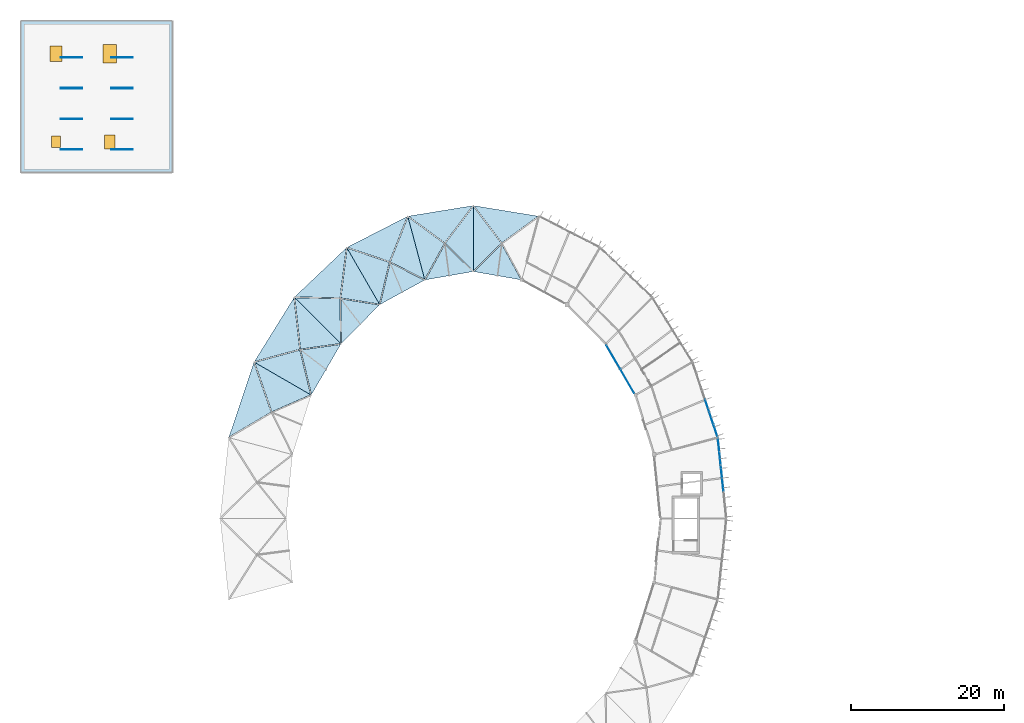
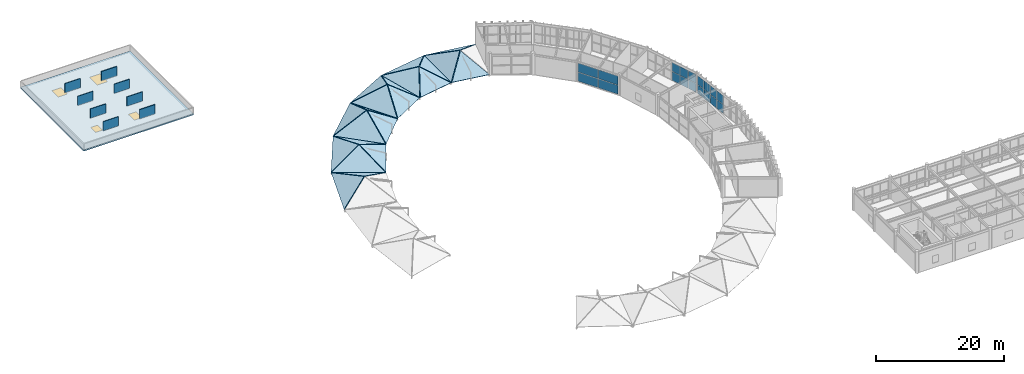
# One storey, part 47 of 66: 26 plates, 22 slabs, 4 windows, 4 openings, 3 elements without a shape of their own.
"""IFC4 building model written with IfcOpenShell, lengths in metres."""

from ifc_helpers import new_model, si_unit, direction, frame, origin, origin_2d, place, context, subcontext, project, spatial, polyline, rectangle, outline, extrude, material, layer, layer_set, type_object, element, fill, aggregate, save


model = new_model("IFC4")

# Units and contexts
model_context = context("Model", 3, precision=1e-05, world=origin(), true_north=direction((0.0, 1.0)))
body_context = subcontext(model_context, "Body", "Model", "MODEL_VIEW")
ifc_project = project(units=[si_unit("LENGTHUNIT", "METRE"), si_unit("AREAUNIT", "SQUARE_METRE"), si_unit("VOLUMEUNIT", "CUBIC_METRE"), si_unit("PLANEANGLEUNIT", "RADIAN"), si_unit("MASSUNIT", "GRAM", prefix="KILO")], contexts=[model_context])

# Site, building, storey
site_placement = place(None, origin())
site = spatial("IfcSite", under=ifc_project, at=site_placement, CompositionType="ELEMENT")
building_placement = place(site_placement, origin())
building = spatial("IfcBuilding", under=site, at=building_placement, Name="Karori Crest Natural Sciences Institute", CompositionType="ELEMENT")
storey_placement = place(building_placement, frame((0.0, 0.0, 30.10009765625)))
storey = spatial("IfcBuildingStorey", under=building, at=storey_placement, Name="L07", CompositionType="ELEMENT", Elevation=30.10009765625)

# Curtain wall, plates
ifc_material_1 = material(Name="Anodised architectural aluminium 6063-T6", Category="aluminium")
curtain_wall_type_1 = type_object("IfcCurtainWallType", Name="CWT-01", PredefinedType="NOTDEFINED", material=ifc_material_1)
curtain_wall_1_placement = place(storey_placement, origin())
curtain_wall_1 = element("IfcCurtainWall", 1, at=curtain_wall_1_placement, inside=storey, type_object=curtain_wall_type_1, Name="Curtain wall CW-0243", PredefinedType="NOTDEFINED")
ifc_material_2 = material(Name="Double low-E laminated glass", Category="glass")
ifc_layer_1 = layer(ifc_material_2, 0.02392578125, Name="Double low-E laminated glass")
ifc_layer_set_1 = layer_set([ifc_layer_1], Name="Double low-E laminated glass")
plate_type_1 = type_object("IfcPlateType", Name="CWP-01", PredefinedType="CURTAIN_PANEL", material=ifc_layer_set_1)
plate_1_placement = place(storey_placement, frame((98.382080078125, 59.459716796875, 0.06494140625), z_axis=(0.0, 0.0, 1.0), x_axis=(0.105884496939, -0.994378435661, 0.0)))
plate_1 = element("IfcPlate", 2, at=plate_1_placement, type_object=plate_type_1, Name="CW-0243 panel 1.1", PredefinedType="CURTAIN_PANEL", context=body_context, shape_type="SweptSolid", body=[
    extrude(rectangle(XDim=1.630126953125, YDim=0.02392578125, at=origin_2d()), origin(), (0.0, 0.0, 1.0), 1.6650390625),
])
plate_2_placement = place(storey_placement, frame((98.382080078125, 59.459716796875, 1.794921875), z_axis=(0.0, 0.0, 1.0), x_axis=(0.105884496939, -0.994378435661, 0.0)))
plate_2 = element("IfcPlate", 3, at=plate_2_placement, type_object=plate_type_1, Name="CW-0243 panel 1.2", PredefinedType="CURTAIN_PANEL", context=body_context, shape_type="SweptSolid", body=[
    extrude(rectangle(XDim=1.630126953125, YDim=0.02392578125, at=origin_2d()), origin(), (0.0, 0.0, 1.0), 1.6650390625),
])
plate_3_placement = place(storey_placement, frame((98.563232421875, 57.758056640625, 0.06494140625), z_axis=(0.0, 0.0, 1.0), x_axis=(0.105884496939, -0.994378435661, 0.0)))
plate_3 = element("IfcPlate", 4, at=plate_3_placement, type_object=plate_type_1, Name="CW-0243 panel 2.1", PredefinedType="CURTAIN_PANEL", context=body_context, shape_type="SweptSolid", body=[
    extrude(rectangle(XDim=1.66259765625, YDim=0.02392578125, at=origin_2d()), origin(), (0.0, 0.0, 1.0), 1.6650390625),
])
plate_4_placement = place(storey_placement, frame((98.563232421875, 57.758056640625, 1.794921875), z_axis=(0.0, 0.0, 1.0), x_axis=(0.105884496939, -0.994378435661, 0.0)))
plate_4 = element("IfcPlate", 5, at=plate_4_placement, type_object=plate_type_1, Name="CW-0243 panel 2.2", PredefinedType="CURTAIN_PANEL", context=body_context, shape_type="SweptSolid", body=[
    extrude(rectangle(XDim=1.66259765625, YDim=0.02392578125, at=origin_2d()), origin(), (0.0, 0.0, 1.0), 1.6650390625),
])
plate_5_placement = place(storey_placement, frame((98.74609375, 56.040283203125, 0.06494140625), z_axis=(0.0, 0.0, 1.0), x_axis=(0.105884496939, -0.994378435661, 0.0)))
plate_5 = element("IfcPlate", 6, at=plate_5_placement, type_object=plate_type_1, Name="CW-0243 panel 3.1", PredefinedType="CURTAIN_PANEL", context=body_context, shape_type="SweptSolid", body=[
    extrude(rectangle(XDim=1.66259765625, YDim=0.02392578125, at=origin_2d()), origin(), (0.0, 0.0, 1.0), 1.6650390625),
])
plate_6_placement = place(storey_placement, frame((98.74609375, 56.040283203125, 1.794921875), z_axis=(0.0, 0.0, 1.0), x_axis=(0.105884496939, -0.994378435661, 0.0)))
plate_6 = element("IfcPlate", 7, at=plate_6_placement, type_object=plate_type_1, Name="CW-0243 panel 3.2", PredefinedType="CURTAIN_PANEL", context=body_context, shape_type="SweptSolid", body=[
    extrude(rectangle(XDim=1.66259765625, YDim=0.02392578125, at=origin_2d()), origin(), (0.0, 0.0, 1.0), 1.6650390625),
])
plate_7_placement = place(storey_placement, frame((98.92919921875, 54.322509765625, 0.06494140625), z_axis=(0.0, 0.0, 1.0), x_axis=(0.105884496939, -0.994378435661, 0.0)))
plate_7 = element("IfcPlate", 8, at=plate_7_placement, type_object=plate_type_1, Name="CW-0243 panel 4.1", PredefinedType="CURTAIN_PANEL", context=body_context, shape_type="SweptSolid", body=[
    extrude(rectangle(XDim=1.66259765625, YDim=0.02392578125, at=origin_2d()), origin(), (0.0, 0.0, 1.0), 1.6650390625),
])
plate_8_placement = place(storey_placement, frame((98.92919921875, 54.322509765625, 1.794921875), z_axis=(0.0, 0.0, 1.0), x_axis=(0.105884496939, -0.994378435661, 0.0)))
plate_8 = element("IfcPlate", 9, at=plate_8_placement, type_object=plate_type_1, Name="CW-0243 panel 4.2", PredefinedType="CURTAIN_PANEL", context=body_context, shape_type="SweptSolid", body=[
    extrude(rectangle(XDim=1.66259765625, YDim=0.02392578125, at=origin_2d()), origin(), (0.0, 0.0, 1.0), 1.6650390625),
])
aggregate(curtain_wall_1, [plate_1, plate_2, plate_3, plate_4, plate_5, plate_6, plate_7, plate_8])

curtain_wall_type_2 = type_object("IfcCurtainWallType", Name="CWT-13", PredefinedType="NOTDEFINED", material=ifc_material_1)
curtain_wall_2_placement = place(storey_placement, origin())
curtain_wall_2 = element("IfcCurtainWall", 10, at=curtain_wall_2_placement, inside=storey, type_object=curtain_wall_type_2, Name="Curtain wall CW-0247", PredefinedType="NOTDEFINED")
plate_9_placement = place(storey_placement, frame((86.48193359375, 67.80419921875, 0.059814453125), z_axis=(0.0, 0.0, 1.0), x_axis=(-0.502654910341, 0.864487154971, 0.0)))
plate_9 = element("IfcPlate", 11, at=plate_9_placement, type_object=plate_type_1, Name="CW-0247 panel 1.1", PredefinedType="CURTAIN_PANEL", context=body_context, shape_type="SweptSolid", body=[
    extrude(rectangle(XDim=3.585205078125, YDim=0.02392578125, at=origin_2d()), origin(), (0.0, 0.0, 1.0), 1.7099609375),
])
plate_10_placement = place(storey_placement, frame((86.48193359375, 67.80419921875, 1.829833984375), z_axis=(0.0, 0.0, 1.0), x_axis=(-0.502654910341, 0.864487154971, 0.0)))
plate_10 = element("IfcPlate", 12, at=plate_10_placement, type_object=plate_type_1, Name="CW-0247 panel 1.2", PredefinedType="CURTAIN_PANEL", context=body_context, shape_type="SweptSolid", body=[
    extrude(rectangle(XDim=3.585205078125, YDim=0.02392578125, at=origin_2d()), origin(), (0.0, 0.0, 1.0), 1.7099609375),
])
plate_11_placement = place(storey_placement, frame((84.647216796875, 70.959716796875, 0.059814453125), z_axis=(0.0, 0.0, 1.0), x_axis=(-0.502654910341, 0.864487154971, 0.0)))
plate_11 = element("IfcPlate", 13, at=plate_11_placement, type_object=plate_type_1, Name="CW-0247 panel 2.1", PredefinedType="CURTAIN_PANEL", context=body_context, shape_type="SweptSolid", body=[
    extrude(rectangle(XDim=3.585205078125, YDim=0.02392578125, at=origin_2d()), origin(), (0.0, 0.0, 1.0), 1.7099609375),
])
plate_12_placement = place(storey_placement, frame((84.647216796875, 70.959716796875, 1.829833984375), z_axis=(0.0, 0.0, 1.0), x_axis=(-0.502654910341, 0.864487154971, 0.0)))
plate_12 = element("IfcPlate", 14, at=plate_12_placement, type_object=plate_type_1, Name="CW-0247 panel 2.2", PredefinedType="CURTAIN_PANEL", context=body_context, shape_type="SweptSolid", body=[
    extrude(rectangle(XDim=3.585205078125, YDim=0.02392578125, at=origin_2d()), origin(), (0.0, 0.0, 1.0), 1.7099609375),
])
aggregate(curtain_wall_2, [plate_9, plate_10, plate_11, plate_12])

curtain_wall_type_3 = type_object("IfcCurtainWallType", Name="CWT-02", PredefinedType="NOTDEFINED", material=ifc_material_1)
curtain_wall_3_placement = place(storey_placement, origin())
curtain_wall_3 = element("IfcCurtainWall", 15, at=curtain_wall_3_placement, inside=storey, type_object=curtain_wall_type_3, Name="Curtain wall CW-0245", PredefinedType="NOTDEFINED")
ifc_layer_2 = layer(ifc_material_2, 0.033935546875, Name="Double low-E laminated glass")
ifc_layer_set_2 = layer_set([ifc_layer_2], Name="Double low-E laminated glass")
plate_type_2 = type_object("IfcPlateType", Name="CWP-02", PredefinedType="CURTAIN_PANEL", material=ifc_layer_set_2)
plate_13_placement = place(storey_placement, frame((96.888427734375, 64.599853515625, 0.06005859375), z_axis=(0.0, 0.0, 1.0), x_axis=(0.317679803392, -0.94819805026, 0.0)))
plate_13 = element("IfcPlate", 16, at=plate_13_placement, type_object=plate_type_2, Name="CW-0245 panel 4.1", PredefinedType="CURTAIN_PANEL", context=body_context, shape_type="SweptSolid", body=[
    extrude(rectangle(XDim=1.628662109375, YDim=0.033935546875, at=origin_2d()), origin(), (0.0, 0.0, 1.0), 1.672607421875),
])
plate_14_placement = place(storey_placement, frame((96.888427734375, 64.599853515625, 1.79248046875), z_axis=(0.0, 0.0, 1.0), x_axis=(0.317679803392, -0.94819805026, 0.0)))
plate_14 = element("IfcPlate", 17, at=plate_14_placement, type_object=plate_type_2, Name="CW-0245 panel 4.2", PredefinedType="CURTAIN_PANEL", context=body_context, shape_type="SweptSolid", body=[
    extrude(rectangle(XDim=1.628662109375, YDim=0.033935546875, at=origin_2d()), origin(), (0.0, 0.0, 1.0), 1.672607421875),
])
plate_15_placement = place(storey_placement, frame((97.426513671875, 62.993896484375, 0.06005859375), z_axis=(0.0, 0.0, 1.0), x_axis=(0.317679803392, -0.94819805026, 0.0)))
plate_15 = element("IfcPlate", 18, at=plate_15_placement, type_object=plate_type_2, Name="CW-0245 panel 5.1", PredefinedType="CURTAIN_PANEL", context=body_context, shape_type="SweptSolid", body=[
    extrude(rectangle(XDim=1.628662109375, YDim=0.033935546875, at=origin_2d()), origin(), (0.0, 0.0, 1.0), 1.672607421875),
])
plate_16_placement = place(storey_placement, frame((97.426513671875, 62.993896484375, 1.79248046875), z_axis=(0.0, 0.0, 1.0), x_axis=(0.317679803392, -0.94819805026, 0.0)))
plate_16 = element("IfcPlate", 19, at=plate_16_placement, type_object=plate_type_2, Name="CW-0245 panel 5.2", PredefinedType="CURTAIN_PANEL", context=body_context, shape_type="SweptSolid", body=[
    extrude(rectangle(XDim=1.628662109375, YDim=0.033935546875, at=origin_2d()), origin(), (0.0, 0.0, 1.0), 1.672607421875),
])
plate_17_placement = place(storey_placement, frame((97.95947265625, 61.4033203125, 0.06005859375), z_axis=(0.0, 0.0, 1.0), x_axis=(0.317679803392, -0.94819805026, 0.0)))
plate_17 = element("IfcPlate", 20, at=plate_17_placement, type_object=plate_type_2, Name="CW-0245 panel 6.1", PredefinedType="CURTAIN_PANEL", context=body_context, shape_type="SweptSolid", body=[
    extrude(rectangle(XDim=1.59619140625, YDim=0.033935546875, at=origin_2d()), origin(), (0.0, 0.0, 1.0), 1.672607421875),
])
plate_18_placement = place(storey_placement, frame((97.95947265625, 61.4033203125, 1.79248046875), z_axis=(0.0, 0.0, 1.0), x_axis=(0.317679803392, -0.94819805026, 0.0)))
plate_18 = element("IfcPlate", 21, at=plate_18_placement, type_object=plate_type_2, Name="CW-0245 panel 6.2", PredefinedType="CURTAIN_PANEL", context=body_context, shape_type="SweptSolid", body=[
    extrude(rectangle(XDim=1.59619140625, YDim=0.033935546875, at=origin_2d()), origin(), (0.0, 0.0, 1.0), 1.672607421875),
])
aggregate(curtain_wall_3, [plate_13, plate_14, plate_15, plate_16, plate_17, plate_18])

# Plates
ifc_layer_3 = layer(ifc_material_1, 0.08203125, Name="Anodised architectural aluminium 6063-T6")
ifc_layer_set_3 = layer_set([ifc_layer_3], Name="Anodised architectural aluminium 6063-T6")
plate_type_3 = type_object("IfcPlateType", Name="PLT-04", PredefinedType="USERDEFINED", material=ifc_layer_set_3)
for number, where, z_axis, x_axis, name in (
    (22, (14.0, 98.0, -0.02001953125), (0.0, 0.0, 1.0), (1.0, 0.0, 0.0), "Acoustic equipment screen PL-0019"),
    (23, (14.0, 102.0, -0.02001953125), (0.0, 0.0, 1.0), (1.0, 0.0, 0.0), "Acoustic equipment screen PL-0021"),
    (24, (14.0, 106.0, -0.02001953125), (0.0, 0.0, 1.0), (1.0, 0.0, 0.0), "Acoustic equipment screen PL-0023"),
    (25, (14.0, 110.0, -0.02001953125), (0.0, 0.0, 1.0), (1.0, 0.0, 0.0), "Acoustic equipment screen PL-0025"),
):
    element("IfcPlate", number, at=place(storey_placement, frame(where, z_axis=z_axis, x_axis=x_axis)), inside=storey, type_object=plate_type_3, Name=name, ObjectType="PLANT_SCREEN", PredefinedType="USERDEFINED", context=body_context, shape_type="SweptSolid", body=[
        extrude(rectangle(XDim=2.800048828125, YDim=0.08203125, at=origin_2d()), origin(), (0.0, 0.0, 1.0), 1.800048828125),
    ])
ifc_layer_4 = layer(ifc_material_1, 0.10205078125, Name="Anodised architectural aluminium 6063-T6")
ifc_layer_set_4 = layer_set([ifc_layer_4], Name="Anodised architectural aluminium 6063-T6")
plate_type_4 = type_object("IfcPlateType", Name="PLT-05", PredefinedType="USERDEFINED", material=ifc_layer_set_4)
for number, where, z_axis, x_axis, name in (
    (26, (20.60009765625, 98.0, -0.02001953125), (0.0, 0.0, 1.0), (1.0, 0.0, 0.0), "Acoustic equipment screen PL-0020"),
    (27, (20.60009765625, 102.0, -0.02001953125), (0.0, 0.0, 1.0), (1.0, 0.0, 0.0), "Acoustic equipment screen PL-0022"),
    (28, (20.60009765625, 106.0, -0.02001953125), (0.0, 0.0, 1.0), (1.0, 0.0, 0.0), "Acoustic equipment screen PL-0024"),
    (29, (20.60009765625, 110.0, -0.02001953125), (0.0, 0.0, 1.0), (1.0, 0.0, 0.0), "Acoustic equipment screen PL-0026"),
):
    element("IfcPlate", number, at=place(storey_placement, frame(where, z_axis=z_axis, x_axis=x_axis)), inside=storey, type_object=plate_type_4, Name=name, ObjectType="PLANT_SCREEN", PredefinedType="USERDEFINED", context=body_context, shape_type="SweptSolid", body=[
        extrude(rectangle(XDim=2.800048828125, YDim=0.10205078125, at=origin_2d()), origin(), (0.0, 0.0, 1.0), 1.800048828125),
    ])

# Slab, openings, windows
ifc_material_3 = material(Name="Concrete 40 MPa", Category="concrete")
ifc_layer_5 = layer(ifc_material_3, 0.25, Name="Concrete 40 MPa")
ifc_layer_set_5 = layer_set([ifc_layer_5], Name="Concrete 40 MPa")
slab_type_1 = type_object("IfcSlabType", Name="SLT-13", PredefinedType="ROOF", material=ifc_layer_set_5)
slab_1_placement = place(storey_placement, frame((0.0, 0.0, -0.25)))
slab_1 = element("IfcSlab", 30, at=slab_1_placement, inside=storey, type_object=slab_type_1, Name="V4-RF Slab SL-0161", PredefinedType="ROOF", context=body_context, shape_type="SweptSolid", body=[
    extrude(outline(polyline([(7.39990234375, 95.0), (27.199951171875, 95.0), (27.199951171875, 114.800048828125), (7.39990234375, 114.800048828125), (7.39990234375, 95.0)]), holes=[polyline([(11.402099609375, 99.748046875), (12.597900390625, 99.748046875), (12.597900390625, 98.251953125), (11.402099609375, 98.251953125), (11.402099609375, 99.748046875)]), polyline([(18.302001953125, 99.89794921875), (19.697998046875, 99.89794921875), (19.697998046875, 98.10205078125), (18.302001953125, 98.10205078125), (18.302001953125, 99.89794921875)]), polyline([(11.201904296875, 111.498046875), (12.798095703125, 111.498046875), (12.798095703125, 109.501953125), (11.201904296875, 109.501953125), (11.201904296875, 111.498046875)]), polyline([(18.10205078125, 111.697998046875), (19.89794921875, 111.697998046875), (19.89794921875, 109.302001953125), (18.10205078125, 109.302001953125), (18.10205078125, 111.697998046875)])]), origin(), (0.0, 0.0, 1.0), 0.25),
])
opening_1_placement = place(slab_1_placement, frame((12.0, 99.0, 0.0)))
opening_1 = element("IfcOpeningElement", 31, at=opening_1_placement, cuts=slab_1, Name="Opening SK-0005", PredefinedType="OPENING", context=body_context, shape_type="SweptSolid", body=[
    extrude(rectangle(XDim=1.199951171875, YDim=1.5, at=origin_2d()), frame((0.0, 0.0, -0.010009765625)), (0.0, 0.0, 1.0), 0.27001953125),
])
opening_2_placement = place(slab_1_placement, frame((19.0, 99.0, 0.0)))
opening_2 = element("IfcOpeningElement", 32, at=opening_2_placement, cuts=slab_1, Name="Opening SK-0006", PredefinedType="OPENING", context=body_context, shape_type="SweptSolid", body=[
    extrude(rectangle(XDim=1.39990234375, YDim=1.800048828125, at=origin_2d()), frame((0.0, 0.0, -0.010009765625)), (0.0, 0.0, 1.0), 0.27001953125),
])
opening_3_placement = place(slab_1_placement, frame((12.0, 110.5, 0.0)))
opening_3 = element("IfcOpeningElement", 33, at=opening_3_placement, cuts=slab_1, Name="Opening SK-0007", PredefinedType="OPENING", context=body_context, shape_type="SweptSolid", body=[
    extrude(rectangle(XDim=1.60009765625, YDim=2.0, at=origin_2d()), frame((0.0, 0.0, -0.010009765625)), (0.0, 0.0, 1.0), 0.27001953125),
])
opening_4_placement = place(slab_1_placement, frame((19.0, 110.5, 0.0)))
opening_4 = element("IfcOpeningElement", 34, at=opening_4_placement, cuts=slab_1, Name="Opening SK-0008", PredefinedType="OPENING", context=body_context, shape_type="SweptSolid", body=[
    extrude(rectangle(XDim=1.800048828125, YDim=2.39990234375, at=origin_2d()), frame((0.0, 0.0, -0.010009765625)), (0.0, 0.0, 1.0), 0.27001953125),
])
window_type_1 = type_object("IfcWindowType", Name="SKT-01", PartitioningType="SINGLE_PANEL", PredefinedType="SKYLIGHT", material=ifc_material_2)
window_1_placement = place(opening_1_placement, frame((0.0, 0.0, 0.199951171875)))
window_1 = element("IfcWindow", 35, at=window_1_placement, inside=storey, type_object=window_type_1, Name="Roof skylight hatch SK-0005", OverallHeight=1.5, OverallWidth=1.199951171875, PartitioningType="SINGLE_PANEL", PredefinedType="SKYLIGHT", context=body_context, shape_type="SweptSolid", body=[
    extrude(rectangle(XDim=1.199951171875, YDim=1.5, at=origin_2d()), origin(), (0.0, 0.0, 1.0), 0.050048828125),
])
fill(opening_1, window_1)
window_type_2 = type_object("IfcWindowType", Name="SKT-02", PartitioningType="SINGLE_PANEL", PredefinedType="SKYLIGHT", material=ifc_material_2)
window_2_placement = place(opening_2_placement, frame((0.0, 0.0, 0.199951171875)))
window_2 = element("IfcWindow", 36, at=window_2_placement, inside=storey, type_object=window_type_2, Name="Roof skylight hatch SK-0006", OverallHeight=1.800048828125, OverallWidth=1.39990234375, PartitioningType="SINGLE_PANEL", PredefinedType="SKYLIGHT", context=body_context, shape_type="SweptSolid", body=[
    extrude(rectangle(XDim=1.39990234375, YDim=1.800048828125, at=origin_2d()), origin(), (0.0, 0.0, 1.0), 0.050048828125),
])
fill(opening_2, window_2)
window_type_3 = type_object("IfcWindowType", Name="SKT-03", PartitioningType="SINGLE_PANEL", PredefinedType="SKYLIGHT", material=ifc_material_2)
window_3_placement = place(opening_3_placement, frame((0.0, 0.0, 0.199951171875)))
window_3 = element("IfcWindow", 37, at=window_3_placement, inside=storey, type_object=window_type_3, Name="Roof skylight hatch SK-0007", OverallHeight=2.0, OverallWidth=1.60009765625, PartitioningType="SINGLE_PANEL", PredefinedType="SKYLIGHT", context=body_context, shape_type="SweptSolid", body=[
    extrude(rectangle(XDim=1.60009765625, YDim=2.0, at=origin_2d()), origin(), (0.0, 0.0, 1.0), 0.050048828125),
])
fill(opening_3, window_3)
window_type_4 = type_object("IfcWindowType", Name="SKT-04", PartitioningType="SINGLE_PANEL", PredefinedType="SKYLIGHT", material=ifc_material_2)
window_4_placement = place(opening_4_placement, frame((0.0, 0.0, 0.199951171875)))
window_4 = element("IfcWindow", 38, at=window_4_placement, inside=storey, type_object=window_type_4, Name="Roof skylight hatch SK-0008", OverallHeight=2.39990234375, OverallWidth=1.800048828125, PartitioningType="SINGLE_PANEL", PredefinedType="SKYLIGHT", context=body_context, shape_type="SweptSolid", body=[
    extrude(rectangle(XDim=1.800048828125, YDim=2.39990234375, at=origin_2d()), origin(), (0.0, 0.0, 1.0), 0.050048828125),
])
fill(opening_4, window_4)

# Slabs
ifc_layer_6 = layer(ifc_material_2, 0.139892578125, Name="Double low-E laminated glass")
ifc_layer_set_6 = layer_set([ifc_layer_6], Name="Double low-E laminated glass")
slab_type_2 = type_object("IfcSlabType", Name="SLT-14", PredefinedType="ROOF", material=ifc_layer_set_6)
slab_2_placement = place(storey_placement, frame((74.938720703125, 89.30859375, 0.051025390625), z_axis=(0.085553727449, 0.525568492693, 0.846438609238), x_axis=(-0.987012300344, 0.160644697208, 1.5110324e-05)))
element("IfcSlab", 39, at=slab_2_placement, inside=storey, type_object=slab_type_2, Name="V1-G06A Crystal gable SL-0030", PredefinedType="ROOF", context=body_context, shape_type="SweptSolid", body=[
    extrude(outline(polyline([(0.0, 0.0), (8.64943239507924, -2.220446049250313e-16), (8.512082434738534, 0.06151936133558927), (4.196425311040657, 4.93729379251885), (0.13511279500962478, 0.06588648295339264), (0.0, 0.0)])), origin(), (0.0, 0.0, -1.0), 0.139892578125),
])
slab_3_placement = place(storey_placement, frame((66.401611328125, 90.697998046875, 0.051025390625), z_axis=(-0.585318419683, -2.073922e-06, 0.810803519711), x_axis=(1.213905e-06, -0.999999999998, -1.681543e-06)))
element("IfcSlab", 40, at=slab_3_placement, inside=storey, type_object=slab_type_2, Name="V1-G06B Crystal gable SL-0031", PredefinedType="ROOF", context=body_context, shape_type="SweptSolid", body=[
    extrude(outline(polyline([(0.0, 0.0), (8.595947265606513, 0.0), (8.461914062428892, 0.06837026850658594), (4.913330078190716, 4.487709115034024), (0.1425781249101866, 0.047907562963376775), (0.0, 0.0)])), origin(), (0.0, 0.0, -1.0), 0.139892578125),
])
slab_4_placement = place(storey_placement, frame((66.40234375, 82.101318359375, 0.051025390625), z_axis=(-0.091175510796, -0.524830663036, 0.846309518656), x_axis=(0.985242114623, -0.171166514122, -4.114378e-06)))
element("IfcSlab", 41, at=slab_4_placement, inside=storey, type_object=slab_type_2, Name="V1-G06C Crystal gable SL-0032", PredefinedType="ROOF", context=body_context, shape_type="SweptSolid", body=[
    extrude(outline(polyline([(0.0, 0.0), (6.405570673320588, 0.0), (6.278153706760856, 0.07960121138273656), (3.030382611886642, 4.9156063783545925), (0.12316416916185824, 0.08596948088641862), (0.0, 0.0)])), origin(), (0.0, 0.0, -1.0), 0.139892578125),
])
slab_5_placement = place(storey_placement, frame((66.398193359375, 90.697998046875, 0.05078125), z_axis=(-0.072685282974, 0.446610802996, 0.891771069438), x_axis=(-0.987009695143, -0.160660703098, 1.3149822e-05)))
element("IfcSlab", 42, at=slab_5_placement, inside=storey, type_object=slab_type_2, Name="V1-G07A Crystal gable SL-0034", PredefinedType="ROOF", context=body_context, shape_type="SweptSolid", body=[
    extrude(outline(polyline([(0.0, 0.0), (8.649230647488853, -2.220446049250313e-16), (8.512315203021016, 0.06224795995822477), (4.453108851882422, 4.684079596666924), (0.1387974612191794, 0.05817791738448613), (0.0, 0.0)])), origin(), (0.0, 0.0, -1.0), 0.139892578125),
])
slab_6_placement = place(storey_placement, frame((57.861083984375, 89.308349609375, 0.05078125), z_axis=(-0.482640755116, -0.129295465497, 0.866222017789), x_axis=(0.258807068938, -0.96592903492, 2.377563e-05)))
element("IfcSlab", 43, at=slab_6_placement, inside=storey, type_object=slab_type_2, Name="V1-G07B Crystal gable SL-0035", PredefinedType="ROOF", context=body_context, shape_type="SweptSolid", body=[
    extrude(outline(polyline([(0.0, 0.0), (8.59613166427687, 4.440892098500626e-16), (8.457831970765834, 0.05980296460612286), (4.655005000939391, 4.237344625485965), (0.14283066186273335, 0.04798819382626497), (0.0, 0.0)])), origin(), (0.0, 0.0, -1.0), 0.139892578125),
])
slab_7_placement = place(storey_placement, frame((60.08642578125, 81.0048828125, 0.05078125), z_axis=(0.07747592741, -0.445935880483, 0.891705484546), x_axis=(0.985242397755, 0.171164884382, -4.491466e-06)))
element("IfcSlab", 44, at=slab_7_placement, inside=storey, type_object=slab_type_2, Name="V1-G07C Crystal gable SL-0036", PredefinedType="ROOF", context=body_context, shape_type="SweptSolid", body=[
    extrude(outline(polyline([(0.0, 0.0), (6.405811210968756, 1.1102230246251565e-16), (6.280648877806953, 0.08302959469327836), (3.375391271529439, 4.663716470528179), (0.12954976778060817, 0.0764945805387563), (0.0, 0.0)])), origin(), (0.0, 0.0, -1.0), 0.139892578125),
])
slab_8_placement = place(storey_placement, frame((66.398193359375, 82.10205078125, 0.05078125), z_axis=(0.503159162021, -1.2505593e-05, 0.864193761559), x_axis=(6.292304e-06, 0.999999999922, 1.0807255e-05)))
element("IfcSlab", 45, at=slab_8_placement, inside=storey, type_object=slab_type_2, Name="V1-G07D Crystal gable SL-0037", PredefinedType="ROOF", context=body_context, shape_type="SweptSolid", body=[
    extrude(outline(polyline([(0.0, 0.0), (8.59594726495284, 7.281050546844888e-21), (8.451660158013569, 0.04333641848494529), (3.682373044668314, 4.207567133763494), (0.1359863292122877, 0.06389765613272197), (0.0, 0.0)])), origin(), (0.0, 0.0, -1.0), 0.139892578125),
])
slab_9_placement = place(storey_placement, frame((57.85791015625, 89.307373046875, 0.051025390625), z_axis=(-0.248210831222, 0.484677657797, 0.838736520784), x_axis=(-0.890066557096, -0.455830586813, 8.037314e-06)))
element("IfcSlab", 46, at=slab_9_placement, inside=storey, type_object=slab_type_2, Name="V1-G08A Crystal gable SL-0038", PredefinedType="ROOF", context=body_context, shape_type="SweptSolid", body=[
    extrude(outline(polyline([(0.0, 0.0), (8.937919823172768, -4.440892098500626e-16), (8.803400575409402, 0.06737131114395745), (4.808638657007153, 4.970605066842355), (0.13934799189496902, 0.056740966983383254), (0.0, 0.0)])), origin(), (0.0, 0.0, -1.0), 0.139892578125),
])
slab_10_placement = place(storey_placement, frame((49.90234375, 85.23291015625, 0.051025390625), z_axis=(-0.499390662883, -0.288342291307, 0.816986957588), x_axis=(0.500014392127, -0.866017094286, -8.365547e-06)))
element("IfcSlab", 47, at=slab_10_placement, inside=storey, type_object=slab_type_2, Name="V1-G08B Crystal gable SL-0039", PredefinedType="ROOF", context=body_context, shape_type="SweptSolid", body=[
    extrude(outline(polyline([(0.0, 0.0), (8.596031887785678, 0.0), (8.459446749081643, 0.06306329680453542), (4.4480262757056925, 4.689787731307425), (0.13881399351343662, 0.05828378868784761), (0.0, 0.0)])), origin(), (0.0, 0.0, -1.0), 0.139892578125),
])
slab_11_placement = place(storey_placement, frame((54.200927734375, 77.788330078125, 0.051025390625), z_axis=(0.261664547101, -0.47867531319, 0.838094033705), x_axis=(0.877452828902, 0.479662936886, 5.380616e-06)))
element("IfcSlab", 48, at=slab_11_placement, inside=storey, type_object=slab_type_2, Name="V1-G08C Crystal gable SL-0040", PredefinedType="ROOF", context=body_context, shape_type="SweptSolid", body=[
    extrude(outline(polyline([(0.0, 0.0), (6.702763638699272, 0.0), (6.58136570929829, 0.08851854729868919), (3.8019457798891745, 4.943057108661127), (0.13169394384421856, 0.0724718567854902), (0.0, 0.0)])), origin(), (0.0, 0.0, -1.0), 0.139892578125),
])
slab_12_placement = place(storey_placement, frame((60.082763671875, 81.00439453125, 0.051025390625), z_axis=(0.56608070966, 0.151663595625, 0.810278213895), x_axis=(-0.258815096538, 0.965926884134, 1.7634882e-05)))
element("IfcSlab", 49, at=slab_12_placement, inside=storey, type_object=slab_type_2, Name="V1-G08D Crystal gable SL-0041", PredefinedType="ROOF", context=body_context, shape_type="SweptSolid", body=[
    extrude(outline(polyline([(0.0, 0.0), (8.595895844059534, 2.220446049250313e-16), (8.45256281455461, 0.0465308765702498), (3.4420824591797667, 4.613760083091529), (0.13047710321385936, 0.07469622784626256), (0.0, 0.0)])), origin(), (0.0, 0.0, -1.0), 0.139892578125),
])
slab_13_placement = place(storey_placement, frame((49.899658203125, 85.231201171875, 0.051025390625), z_axis=(-0.39317219433, 0.414440993312, 0.820764453828), x_axis=(-0.725477039524, -0.688246369496, 1.33353e-07)))
element("IfcSlab", 50, at=slab_13_placement, inside=storey, type_object=slab_type_2, Name="V1-G09A Crystal gable SL-0042", PredefinedType="ROOF", context=body_context, shape_type="SweptSolid", body=[
    extrude(outline(polyline([(0.0, 0.0), (9.416622715962664, 0.0), (9.281691699194452, 0.06660727686045474), (5.1490616087244, 5.071628246088599), (0.14080116700509038, 0.05336089207585282), (0.0, 0.0)])), origin(), (0.0, 0.0, -1.0), 0.139892578125),
])
slab_14_placement = place(storey_placement, frame((43.068115234375, 78.749755859375, 0.051025390625), z_axis=(-0.409636458963, -0.409620158027, 0.815113058186), x_axis=(0.707092624235, -0.707120937855, -8.7789e-08)))
element("IfcSlab", 51, at=slab_14_placement, inside=storey, type_object=slab_type_2, Name="V1-G09B Crystal gable SL-0043", PredefinedType="ROOF", context=body_context, shape_type="SweptSolid", body=[
    extrude(outline(polyline([(0.0, 0.0), (8.595939444023932, 4.440892098500626e-16), (8.460766341968013, 0.06582366144626386), (4.348037965930307, 4.9960825449891395), (0.13620677426442024, 0.06413665291695897), (0.0, 0.0)])), origin(), (0.0, 0.0, -1.0), 0.139892578125),
])
slab_15_placement = place(storey_placement, frame((49.146728515625, 72.67138671875, 0.051025390625), z_axis=(0.407561719197, -0.402480279857, 0.819696937515), x_axis=(0.702670840893, 0.711515066024, -1.3362314e-05)))
element("IfcSlab", 52, at=slab_15_placement, inside=storey, type_object=slab_type_2, Name="V1-G09C Crystal gable SL-0044", PredefinedType="ROOF", context=body_context, shape_type="SweptSolid", body=[
    extrude(outline(polyline([(0.0, 0.0), (7.187908193232516, 4.440892098500626e-16), (7.065784941470904, 0.08773487431895832), (4.168573199289241, 5.041559025473633), (0.1344839567415397, 0.06753739639274373), (0.0, 0.0)])), origin(), (0.0, 0.0, -1.0), 0.139892578125),
])
slab_16_placement = place(storey_placement, frame((54.197509765625, 77.786865234375, 0.051025390625), z_axis=(0.512191493556, 0.29571392489, 0.806357953117), x_axis=(-0.499992195151, 0.866029909844, -6.640365e-06)))
element("IfcSlab", 53, at=slab_16_placement, inside=storey, type_object=slab_type_2, Name="V1-G09D Crystal gable SL-0045", PredefinedType="ROOF", context=body_context, shape_type="SweptSolid", body=[
    extrude(outline(polyline([(0.0, 0.0), (8.595909817967312, 0.0), (8.453544806570862, 0.0485345958564337), (3.2837207872537717, 4.89229539016707), (0.12674812284612222, 0.08105244895020178), (0.0, 0.0)])), origin(), (0.0, 0.0, -1.0), 0.139892578125),
])
slab_17_placement = place(storey_placement, frame((43.06591796875, 78.747314453125, 0.05078125), z_axis=(-0.397985140329, 0.246991798734, 0.883517333975), x_axis=(-0.527323868852, -0.849664367429, -7.847625e-06)))
element("IfcSlab", 54, at=slab_17_placement, inside=storey, type_object=slab_type_2, Name="V1-G10A Crystal gable SL-0046", PredefinedType="ROOF", context=body_context, shape_type="SweptSolid", body=[
    extrude(outline(polyline([(0.0, 0.0), (9.941048884743129, 4.440892098500626e-16), (9.801771341013255, 0.05693480965661306), (5.3885335887787456, 4.713396943404501), (0.14383048675018753, 0.044783149588657485), (0.0, 0.0)])), origin(), (0.0, 0.0, -1.0), 0.139892578125),
])
slab_18_placement = place(storey_placement, frame((37.82373046875, 70.300537109375, 0.05078125), z_axis=(-0.227027959736, -0.393216473706, 0.890976492566), x_axis=(0.866025937801, -0.499999075033, 4.746025e-06)))
element("IfcSlab", 55, at=slab_18_placement, inside=storey, type_object=slab_type_2, Name="V1-G10B Crystal gable SL-0047", PredefinedType="ROOF", context=body_context, shape_type="SweptSolid", body=[
    extrude(outline(polyline([(0.0, 0.0), (8.596243319656587, 0.0), (8.46023295541341, 0.06440420956540958), (4.382326625557137, 4.857086004507439), (0.13735742893707412, 0.061803850889023425), (0.0, 0.0)])), origin(), (0.0, 0.0, -1.0), 0.139892578125),
])
slab_19_placement = place(storey_placement, frame((45.2685546875, 66.002685546875, 0.05078125), z_axis=(0.405977174842, -0.236052758983, 0.882871241169), x_axis=(0.502651759626, 0.864488986942, -1.4818e-07)))
element("IfcSlab", 56, at=slab_19_placement, inside=storey, type_object=slab_type_2, Name="V1-G10C Crystal gable SL-0048", PredefinedType="ROOF", context=body_context, shape_type="SweptSolid", body=[
    extrude(outline(polyline([(0.0, 0.0), (7.7100849279346235, -8.881784197001252e-16), (7.581472462598428, 0.07783652718762726), (4.39171201564279, 4.688373850227351), (0.13827272565299487, 0.059118080390214864), (0.0, 0.0)])), origin(), (0.0, 0.0, -1.0), 0.139892578125),
])
slab_20_placement = place(storey_placement, frame((49.143798828125, 72.6689453125, 0.05078125), z_axis=(0.328604375761, 0.328606198453, 0.88545871195), x_axis=(-0.707096070538, 0.70711749161, -9.405198e-06)))
element("IfcSlab", 57, at=slab_20_placement, inside=storey, type_object=slab_type_2, Name="V1-G10D Crystal gable SL-0049", PredefinedType="ROOF", context=body_context, shape_type="SweptSolid", body=[
    extrude(outline(polyline([(0.0, 0.0), (8.59593944353907, 4.440892098500626e-16), (8.452480197860178, 0.04579022910023808), (3.2493958603522834, 4.743383809236365), (0.12722946471007185, 0.07976732910265191), (0.0, 0.0)])), origin(), (0.0, 0.0, -1.0), 0.139892578125),
])
slab_21_placement = place(storey_placement, frame((37.822265625, 70.297607421875, 0.05078125), z_axis=(-0.472039181297, 0.158156103711, 0.867274845813), x_axis=(-0.317689451165, -0.94819481786, 1.071768e-06)))
element("IfcSlab", 58, at=slab_21_placement, inside=storey, type_object=slab_type_2, Name="V1-G11A Crystal gable SL-0050", PredefinedType="ROOF", context=body_context, shape_type="SweptSolid", body=[
    extrude(outline(polyline([(0.0, 0.0), (10.37384255685356, 0.0), (10.233182440781707, 0.053435171156846255), (5.480076995668254, 4.81632467542887), (0.14369381676524734, 0.04512013611633832), (0.0, 0.0)])), origin(), (0.0, 0.0, -1.0), 0.139892578125),
])
slab_22_placement = place(storey_placement, frame((45.266357421875, 65.99951171875, 0.05078125), z_axis=(0.237230796089, 0.410926427645, 0.880261904463), x_axis=(-0.866024886775, 0.500000895163, -1.7958684e-05)))
element("IfcSlab", 59, at=slab_22_placement, inside=storey, type_object=slab_type_2, Name="V1-G11D Crystal gable SL-0053", PredefinedType="ROOF", context=body_context, shape_type="SweptSolid", body=[
    extrude(outline(polyline([(0.0, 0.0), (8.596031886447385, -8.881784197001252e-16), (8.454502008938123, 0.051572324672368844), (3.3493456993518933, 5.045533420515443), (0.12628953998558762, 0.0816106177097565), (0.0, 0.0)])), origin(), (0.0, 0.0, -1.0), 0.139892578125),
])

save(model, "model.ifc")
